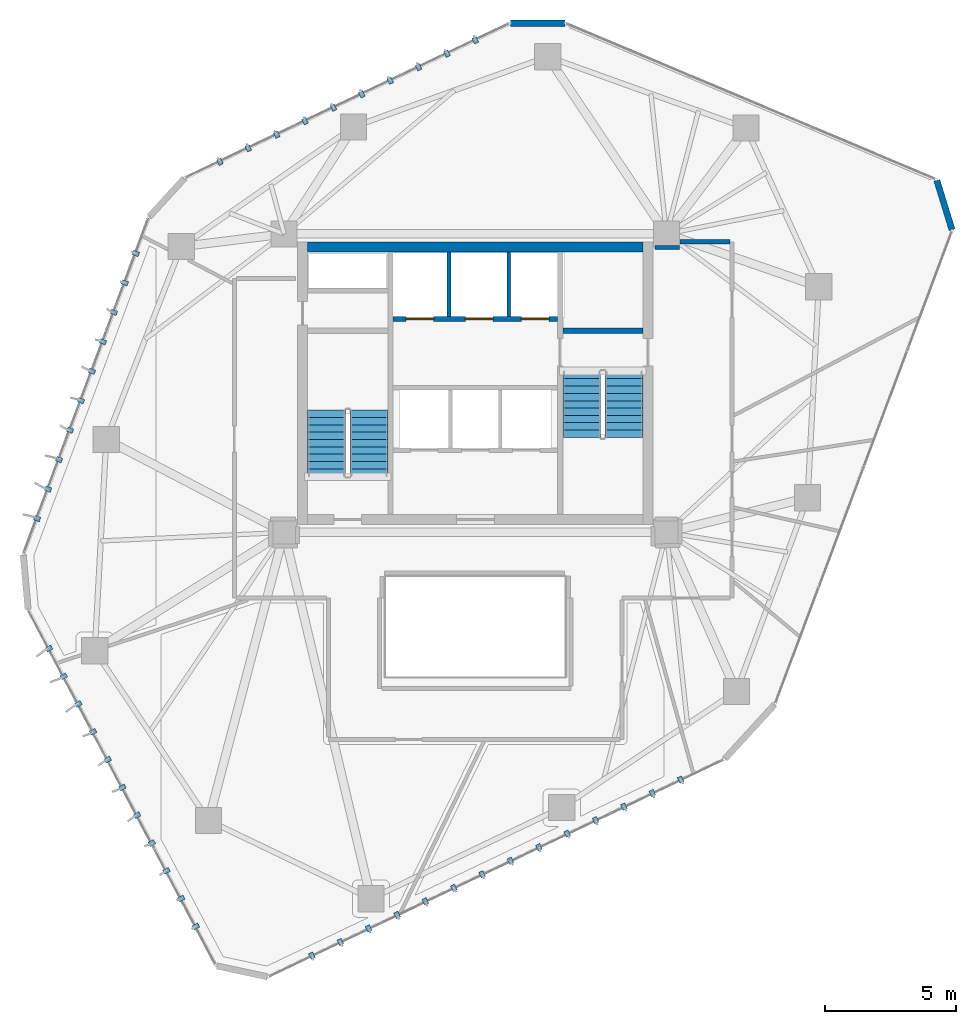
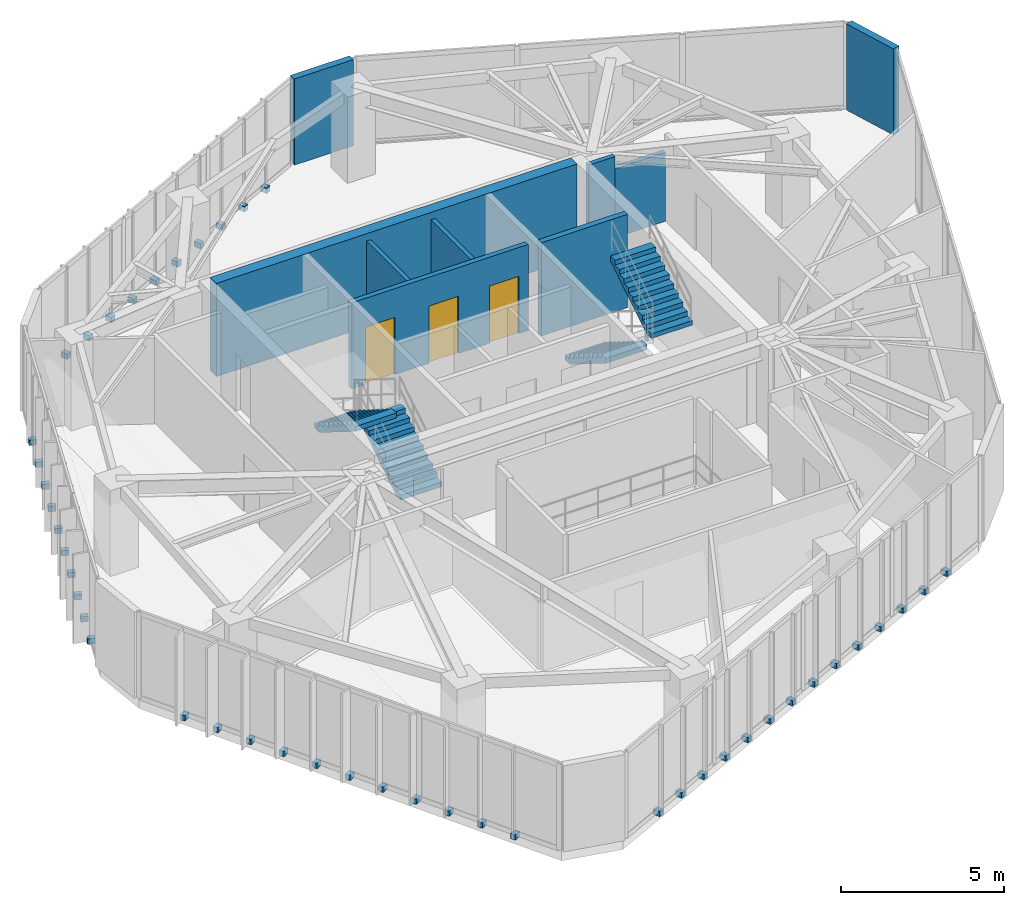
# One storey, part 16 of 18: 45 discrete accessories, 9 walls, 4 stair flights, 3 doors, 3 openings, 2 elements without a shape of their own.
"""IFC4 building model written with IfcOpenShell, lengths in metres."""

from ifc_helpers import new_model, si_unit, direction, frame, frame_2d, origin, origin_2d, place, context, subcontext, project, spatial, polyline, rectangle, outline, extrude, source, transform, mapped, material, layer, layer_set, type_object, type_shapes, element, fill, aggregate, save


model = new_model("IFC4")

# Units and contexts
model_context = context("Model", 3, precision=1e-05, world=origin(), true_north=direction((0.0, 1.0)))
body_context = subcontext(model_context, "Body", "Model", "MODEL_VIEW")
ifc_project = project(units=[si_unit("LENGTHUNIT", "METRE"), si_unit("AREAUNIT", "SQUARE_METRE"), si_unit("VOLUMEUNIT", "CUBIC_METRE"), si_unit("PLANEANGLEUNIT", "RADIAN"), si_unit("MASSUNIT", "GRAM", prefix="KILO")], contexts=[model_context])

# Site, building, storey
site_placement = place(None, origin())
site = spatial("IfcSite", under=ifc_project, at=site_placement, CompositionType="ELEMENT")
building_placement = place(site_placement, origin())
building = spatial("IfcBuilding", under=site, at=building_placement, Name="Talar Marvaseh", CompositionType="ELEMENT")
storey_placement = place(building_placement, frame((0.0, 0.0, 167.0)))
storey = spatial("IfcBuildingStorey", under=building, at=storey_placement, Name="L43", CompositionType="ELEMENT", Elevation=167.0)

# Walls
ifc_material_1 = material(Name="Precast concrete C45/55", Category="concrete")
ifc_layer_1 = layer(ifc_material_1, 0.239990234375)
ifc_layer_set_1 = layer_set([ifc_layer_1], Name="Precast concrete C45/55")
wall_type_1 = type_object("IfcWallType", Name="Chamfered Hexagonal Corner Pier Wall Z3 240", PredefinedType="SOLIDWALL", material=ifc_layer_set_1)
wall_1_placement = place(storey_placement, frame((27.343994140625, 44.947509765625, 0.0), z_axis=(0.0, 0.0, 1.0), x_axis=(0.999997533759, -0.002220917959, 0.0)))
element("IfcWall", 1, at=wall_1_placement, inside=storey, type_object=wall_type_1, Name="L43 Chamfered Corner Limestone Pier 4", PredefinedType="SOLIDWALL", context=body_context, shape_type="SweptSolid", body=[
    extrude(rectangle(XDim=2.088623046875, YDim=0.239990234375, at=frame_2d((1.04443359375, 0.0))), origin(), (0.0, 0.0, 1.0), 3.22998046875),
])
wall_2_placement = place(storey_placement, frame((43.62548828125, 38.945068359375, 0.0), z_axis=(0.0, 0.0, 1.0), x_axis=(0.293660790112, -0.955909692571, 0.0)))
element("IfcWall", 2, at=wall_2_placement, inside=storey, type_object=wall_type_1, Name="L43 Chamfered Corner Limestone Pier 5", PredefinedType="SOLIDWALL", context=body_context, shape_type="SweptSolid", body=[
    extrude(rectangle(XDim=1.977783203125, YDim=0.239990234375, at=frame_2d((0.98876953125, 0.0))), origin(), (0.0, 0.0, 1.0), 3.22998046875),
])
ifc_material_2 = material(Name="Gypsum Board Partition Assembly")
ifc_layer_2 = layer(ifc_material_2, 0.155029296875)
ifc_layer_set_2 = layer_set([ifc_layer_2], Name="Gypsum Board Partition Assembly")
wall_type_2 = type_object("IfcWallType", Name="Corridor Fire-Rated Acoustic Partition 155", PredefinedType="PARTITIONING", material=ifc_layer_set_2)
wall_3_placement = place(storey_placement, frame((32.8701171875, 36.385009765625, 0.0), z_axis=(0.0, 0.0, 1.0), x_axis=(0.999999965754, 0.000261711585, 0.0)))
element("IfcWall", 3, at=wall_3_placement, inside=storey, type_object=wall_type_2, Name="L43 Interior Partition Wall", PredefinedType="PARTITIONING", context=body_context, shape_type="SweptSolid", body=[
    extrude(rectangle(XDim=0.932861328125, YDim=0.155029296875, at=frame_2d((0.46630859375, 0.0))), origin(), (0.0, 0.0, 1.0), 3.22998046875),
])
wall_4_placement = place(storey_placement, frame((33.81494140625, 36.60009765625, 0.0), z_axis=(0.0, 0.0, 1.0), x_axis=(1.0, 0.0, 0.0)))
element("IfcWall", 4, at=wall_4_placement, inside=storey, type_object=wall_type_2, Name="L43 Interior Partition Wall", PredefinedType="PARTITIONING", context=body_context, shape_type="SweptSolid", body=[
    extrude(rectangle(XDim=1.901611328125, YDim=0.155029296875, at=frame_2d((0.95068359375, 0.0))), origin(), (0.0, 0.0, 1.0), 2.589111328125),
])
ifc_layer_3 = layer(ifc_material_1, 0.14501953125)
ifc_layer_set_3 = layer_set([ifc_layer_3], Name="Precast concrete C45/55")
wall_type_3 = type_object("IfcWallType", Name="Fire-Rated Lift Divider Wall 145", PredefinedType="SOLIDWALL", material=ifc_layer_set_3)
for number, where, z_axis, x_axis, name in (
    (5, (25.0, 33.743408203125, 0.0), (0.0, 0.0, 1.0), (0.0, 1.0, 0.0), "L43 FFL-1/FFL-2 Divider"),
    (6, (27.280029296875, 33.743408203125, 0.0), (0.0, 0.0, 1.0), (0.0, 1.0, 0.0), "L43 FFL-2/SVL-1 Divider"),
):
    element("IfcWall", number, at=place(storey_placement, frame(where, z_axis=z_axis, x_axis=x_axis)), inside=storey, type_object=wall_type_3, Name=name, PredefinedType="SOLIDWALL", context=body_context, shape_type="SweptSolid", body=[
        extrude(rectangle(XDim=2.45654296875, YDim=0.14501953125, at=frame_2d((1.228271484375, 0.0))), origin(), (0.0, 0.0, 1.0), 3.22998046875),
    ])

# Wall, openings, doors
ifc_layer_4 = layer(ifc_material_1, 0.175048828125)
ifc_layer_set_4 = layer_set([ifc_layer_4], Name="Precast concrete C45/55")
wall_type_4 = type_object("IfcWallType", Name="Fire-Rated Lift Hoistway Enclosure Wall 175", PredefinedType="SOLIDWALL", material=ifc_layer_set_4)
wall_5_placement = place(storey_placement, frame((22.860107421875, 33.64990234375, 0.0), z_axis=(0.0, 0.0, 1.0), x_axis=(1.0, 0.0, 0.0)))
wall_5 = element("IfcWall", 7, at=wall_5_placement, inside=storey, type_object=wall_type_4, Name="L43 Firefighting and Service Lift Front Wall", PredefinedType="SOLIDWALL", context=body_context, shape_type="SweptSolid", body=[
    extrude(rectangle(XDim=6.27978515625, YDim=0.175048828125, at=frame_2d((3.139892578125, 0.0))), origin(), (0.0, 0.0, 1.0), 3.22998046875),
])
opening_1_placement = place(wall_5_placement, frame((0.5, 0.0, 0.0)))
opening_1 = element("IfcOpeningElement", 8, at=opening_1_placement, cuts=wall_5, Name="Opening LD-FF1", PredefinedType="OPENING", context=body_context, shape_type="SweptSolid", body=[
    extrude(rectangle(XDim=1.050048828125, YDim=2.14990234375, at=frame_2d((0.52490234375, 1.074951171875))), frame((0.0, 0.09765625, 0.0), z_axis=(0.0, -1.0, 0.0), x_axis=(1.0, 0.0, 0.0)), (0.0, 0.0, 1.0), 0.195068359375),
])
opening_2_placement = place(wall_5_placement, frame((2.760009765625, 0.0, 0.0)))
opening_2 = element("IfcOpeningElement", 9, at=opening_2_placement, cuts=wall_5, Name="Opening LD-FF2", PredefinedType="OPENING", context=body_context, shape_type="SweptSolid", body=[
    extrude(rectangle(XDim=1.050048828125, YDim=2.14990234375, at=frame_2d((0.52490234375, 1.074951171875))), frame((0.0, 0.09765625, 0.0), z_axis=(0.0, -1.0, 0.0), x_axis=(1.0, 0.0, 0.0)), (0.0, 0.0, 1.0), 0.195068359375),
])
opening_3_placement = place(wall_5_placement, frame((4.89990234375, 0.0, 0.0)))
opening_3 = element("IfcOpeningElement", 10, at=opening_3_placement, cuts=wall_5, Name="Opening LD-SV1", PredefinedType="OPENING", context=body_context, shape_type="SweptSolid", body=[
    extrude(rectangle(XDim=1.050048828125, YDim=2.14990234375, at=frame_2d((0.52490234375, 1.074951171875))), frame((0.0, 0.09765625, 0.0), z_axis=(0.0, -1.0, 0.0), x_axis=(1.0, 0.0, 0.0)), (0.0, 0.0, 1.0), 0.195068359375),
])
ifc_material_3 = material(Name="Stainless Steel Grade 316", Category="steel")
door_type = type_object("IfcDoorType", Name="Automatic Sliding Lift Landing Door 1050x2150", OperationType="NOTDEFINED", PredefinedType="DOOR", material=ifc_material_3)
shared_shape_1 = source(origin(), body_context, "Body", "SweptSolid", [
    extrude(rectangle(XDim=1.050048828125, YDim=2.14990234375, at=frame_2d((0.52490234375, 1.074951171875))), frame((0.0, 0.02490234375, 0.0), z_axis=(0.0, -1.0, 0.0), x_axis=(1.0, 0.0, 0.0)), (0.0, 0.0, 1.0), 0.050048828125),
])
type_shapes(door_type, [shared_shape_1])
door_1_placement = place(opening_1_placement, origin())
door_1 = element("IfcDoor", 11, at=door_1_placement, inside=storey, type_object=door_type, Name="L43 Lift FFL-1 Sliding Landing Door", OperationType="SLIDING_TO_LEFT", OverallHeight=2.14990234375, OverallWidth=1.050048828125, PredefinedType="DOOR", context=body_context, shape_type="MappedRepresentation", body=[
    mapped(shared_shape_1, transform((0.0, 0.0, 0.0), x_axis=(1.0, 0.0, 0.0), y_axis=(0.0, 1.0, 0.0), z_axis=(0.0, 0.0, 1.0), scale=1.0)),
])
fill(opening_1, door_1)
door_2_placement = place(opening_2_placement, origin())
door_2 = element("IfcDoor", 12, at=door_2_placement, inside=storey, type_object=door_type, Name="L43 Lift FFL-2 Sliding Landing Door", OperationType="SLIDING_TO_LEFT", OverallHeight=2.14990234375, OverallWidth=1.050048828125, PredefinedType="DOOR", context=body_context, shape_type="MappedRepresentation", body=[
    mapped(shared_shape_1, transform((0.0, 0.0, 0.0), x_axis=(1.0, 0.0, 0.0), y_axis=(0.0, 1.0, 0.0), z_axis=(0.0, 0.0, 1.0), scale=1.0)),
])
fill(opening_2, door_2)
door_3_placement = place(opening_3_placement, origin())
door_3 = element("IfcDoor", 13, at=door_3_placement, inside=storey, type_object=door_type, Name="L43 Lift SVL-1 Sliding Landing Door", OperationType="SLIDING_TO_LEFT", OverallHeight=2.14990234375, OverallWidth=1.050048828125, PredefinedType="DOOR", context=body_context, shape_type="MappedRepresentation", body=[
    mapped(shared_shape_1, transform((0.0, 0.0, 0.0), x_axis=(1.0, 0.0, 0.0), y_axis=(0.0, 1.0, 0.0), z_axis=(0.0, 0.0, 1.0), scale=1.0)),
])
fill(opening_3, door_3)

# Walls
ifc_material_4 = material(Name="Concrete C60/75", Category="concrete")
ifc_layer_5 = layer(ifc_material_4, 0.3798828125)
ifc_layer_set_5 = layer_set([ifc_layer_5], Name="Concrete C60/75")
wall_type_5 = type_object("IfcWallType", Name="Mid Core Reinforced Concrete Shear Wall 380", PredefinedType="SHEAR", material=ifc_layer_set_5)
wall_6_placement = place(storey_placement, frame((19.60009765625, 36.39990234375, 0.0), z_axis=(0.0, 0.0, 1.0), x_axis=(1.0, 0.0, 0.0)))
element("IfcWall", 14, at=wall_6_placement, inside=storey, type_object=wall_type_5, Name="L43 North Core Shear Wall", PredefinedType="SHEAR", context=body_context, shape_type="SweptSolid", body=[
    extrude(rectangle(XDim=12.7998046875, YDim=0.3798828125, at=frame_2d((6.39990234375, 0.0))), origin(), (0.0, 0.0, 1.0), 3.5),
])
ifc_material_5 = material(Name="Concrete C50/60", Category="concrete")
ifc_layer_6 = layer(ifc_material_5, 0.199951171875)
ifc_layer_set_6 = layer_set([ifc_layer_6], Name="Concrete C50/60")
wall_type_6 = type_object("IfcWallType", Name="Stair Shaft Structural Concrete Shear Wall 200", PredefinedType="SHEAR", material=ifc_layer_set_6)
wall_7_placement = place(storey_placement, frame((29.340087890625, 33.199951171875, 0.0), z_axis=(0.0, 0.0, 1.0), x_axis=(1.0, 0.0, 0.0)))
element("IfcWall", 15, at=wall_7_placement, inside=storey, type_object=wall_type_6, Name="L43 Stair ST-2 North Shear Wall", PredefinedType="SHEAR", context=body_context, shape_type="SweptSolid", body=[
    extrude(rectangle(XDim=3.059814453125, YDim=0.199951171875, at=frame_2d((1.52978515625, 0.0))), origin(), (0.0, 0.0, 1.0), 3.5),
])

# Stair, stair flights
ifc_material_6 = material(Name="Concrete C40/50", Category="concrete")
stair_type = type_object("IfcStairType", Name="Reinforced Concrete High-Rise Exit Stair Type C", PredefinedType="HALF_TURN_STAIR", material=ifc_material_6)
stair_1_placement = place(storey_placement, origin())
stair_1 = element("IfcStair", 16, at=stair_1_placement, inside=storey, type_object=stair_type, Name="L43 Tower West Core Exit Stair", PredefinedType="HALF_TURN_STAIR")
ifc_layer_7 = layer(ifc_material_6, 0.159912109375)
ifc_layer_set_7 = layer_set([ifc_layer_7], Name="Concrete C40/50")
stair_flight_type = type_object("IfcStairFlightType", Name="Reinforced Concrete Straight Stair Flight 160", PredefinedType="STRAIGHT", material=ifc_layer_set_7)
stair_flight_1_placement = place(storey_placement, frame((21.93505859375, 27.64990234375, 0.0), z_axis=(0.0, 0.0, 1.0), x_axis=(0.0, 1.0, 0.0)))
stair_flight_1 = element("IfcStairFlight", 17, at=stair_flight_1_placement, type_object=stair_flight_type, Name="ST-1 flight 1", NumberOfRisers=10, NumberOfTreads=9, PredefinedType="STRAIGHT", RiserHeight=0.175, TreadLength=0.28, context=body_context, shape_type="SweptSolid", body=[
    extrude(outline(polyline([(0.0, 0.0), (0.0, 0.175048828125), (0.280029296875, 0.175048828125), (0.280029296875, 0.35009765625), (0.56005859375, 0.35009765625), (0.56005859375, 0.52490234375), (0.840087890625, 0.52490234375), (0.840087890625, 0.699951171875), (1.1201171875, 0.699951171875), (1.1201171875, 0.875), (1.39990234375, 0.875), (1.39990234375, 1.050048828125), (1.679931640625, 1.050048828125), (1.679931640625, 1.22509765625), (1.9599609375, 1.22509765625), (1.9599609375, 1.39990234375), (2.239990234375, 1.39990234375), (2.239990234375, 1.574951171875), (2.52001953125, 1.574951171875), (2.52001953125, 1.75), (2.52001953125, 1.386474609375), (0.3017578125, 0.0), (0.0, 0.0)])), frame((0.0, 0.72509765625, 0.0), z_axis=(0.0, -1.0, 0.0), x_axis=(1.0, 0.0, 0.0)), (0.0, 0.0, 1.0), 1.449951171875),
])
stair_flight_2_placement = place(storey_placement, frame((20.324951171875, 30.169921875, 1.75), z_axis=(0.0, 0.0, 1.0), x_axis=(0.0, -1.0, 0.0)))
stair_flight_2 = element("IfcStairFlight", 18, at=stair_flight_2_placement, type_object=stair_flight_type, Name="ST-1 flight 2", NumberOfRisers=10, NumberOfTreads=9, PredefinedType="STRAIGHT", RiserHeight=0.175, TreadLength=0.28, context=body_context, shape_type="SweptSolid", body=[
    extrude(outline(polyline([(0.0, 0.0), (0.0, 0.175048828125), (0.280029296875, 0.175048828125), (0.280029296875, 0.35009765625), (0.56005859375, 0.35009765625), (0.56005859375, 0.52490234375), (0.840087890625, 0.52490234375), (0.840087890625, 0.699951171875), (1.1201171875, 0.699951171875), (1.1201171875, 0.875), (1.39990234375, 0.875), (1.39990234375, 1.050048828125), (1.679931640625, 1.050048828125), (1.679931640625, 1.22509765625), (1.9599609375, 1.22509765625), (1.9599609375, 1.39990234375), (2.239990234375, 1.39990234375), (2.239990234375, 1.574951171875), (2.52001953125, 1.574951171875), (2.52001953125, 1.75), (2.52001953125, 1.386474609375), (0.3017578125, 0.0), (0.0, 0.0)])), frame((0.0, 0.72509765625, 0.0), z_axis=(0.0, -1.0, 0.0), x_axis=(1.0, 0.0, 0.0)), (0.0, 0.0, 1.0), 1.449951171875),
])
aggregate(stair_1, [stair_flight_1, stair_flight_2])

stair_2_placement = place(storey_placement, origin())
stair_2 = element("IfcStair", 19, at=stair_2_placement, inside=storey, type_object=stair_type, Name="L43 Tower East Core Exit Stair", PredefinedType="HALF_TURN_STAIR")
stair_flight_3_placement = place(storey_placement, frame((30.06494140625, 31.64990234375, 0.0), z_axis=(0.0, 0.0, 1.0), x_axis=(0.0, -1.0, 0.0)))
stair_flight_3 = element("IfcStairFlight", 20, at=stair_flight_3_placement, type_object=stair_flight_type, Name="ST-2 flight 1", NumberOfRisers=10, NumberOfTreads=9, PredefinedType="STRAIGHT", RiserHeight=0.175, TreadLength=0.28, context=body_context, shape_type="SweptSolid", body=[
    extrude(outline(polyline([(0.0, 0.0), (0.0, 0.175048828125), (0.280029296875, 0.175048828125), (0.280029296875, 0.35009765625), (0.56005859375, 0.35009765625), (0.56005859375, 0.52490234375), (0.840087890625, 0.52490234375), (0.840087890625, 0.699951171875), (1.1201171875, 0.699951171875), (1.1201171875, 0.875), (1.39990234375, 0.875), (1.39990234375, 1.050048828125), (1.679931640625, 1.050048828125), (1.679931640625, 1.22509765625), (1.9599609375, 1.22509765625), (1.9599609375, 1.39990234375), (2.239990234375, 1.39990234375), (2.239990234375, 1.574951171875), (2.52001953125, 1.574951171875), (2.52001953125, 1.75), (2.52001953125, 1.386474609375), (0.3017578125, 0.0), (0.0, 0.0)])), frame((0.0, 0.72509765625, 0.0), z_axis=(0.0, -1.0, 0.0), x_axis=(1.0, 0.0, 0.0)), (0.0, 0.0, 1.0), 1.449951171875),
])
stair_flight_4_placement = place(storey_placement, frame((31.675048828125, 29.1298828125, 1.75), z_axis=(0.0, 0.0, 1.0), x_axis=(0.0, 1.0, 0.0)))
stair_flight_4 = element("IfcStairFlight", 21, at=stair_flight_4_placement, type_object=stair_flight_type, Name="ST-2 flight 2", NumberOfRisers=10, NumberOfTreads=9, PredefinedType="STRAIGHT", RiserHeight=0.175, TreadLength=0.28, context=body_context, shape_type="SweptSolid", body=[
    extrude(outline(polyline([(0.0, 0.0), (0.0, 0.175048828125), (0.280029296875, 0.175048828125), (0.280029296875, 0.35009765625), (0.56005859375, 0.35009765625), (0.56005859375, 0.52490234375), (0.840087890625, 0.52490234375), (0.840087890625, 0.699951171875), (1.1201171875, 0.699951171875), (1.1201171875, 0.875), (1.39990234375, 0.875), (1.39990234375, 1.050048828125), (1.679931640625, 1.050048828125), (1.679931640625, 1.22509765625), (1.9599609375, 1.22509765625), (1.9599609375, 1.39990234375), (2.239990234375, 1.39990234375), (2.239990234375, 1.574951171875), (2.52001953125, 1.574951171875), (2.52001953125, 1.75), (2.52001953125, 1.386474609375), (0.3017578125, 0.0), (0.0, 0.0)])), frame((0.0, 0.72509765625, 0.0), z_axis=(0.0, -1.0, 0.0), x_axis=(1.0, 0.0, 0.0)), (0.0, 0.0, 1.0), 1.449951171875),
])
aggregate(stair_2, [stair_flight_3, stair_flight_4])

# Discrete accessories
discrete_accessory_type = type_object("IfcDiscreteAccessoryType", Name="Stainless Slab-Edge Fin Mounting Bracket", PredefinedType="BRACKET", material=ifc_material_3)
shared_shape_2 = source(origin(), body_context, "Body", "SweptSolid", [
    extrude(rectangle(XDim=0.239990234375, YDim=0.179931640625, at=origin_2d()), origin(), (0.0, 0.0, 1.0), 0.199951171875),
])
type_shapes(discrete_accessory_type, [shared_shape_2])
for number, where, z_axis, x_axis, name in (
    (22, (15.33203125, 10.460205078125, -0.18017578125), (0.0, 0.0, 1.0), (-0.88417363932, -0.467158405181, 0.0), "L43 Vertical Fin Slab-Edge Bracket"),
    (23, (14.771484375, 11.521484375, -0.18017578125), (0.0, 0.0, 1.0), (-0.88417363932, -0.467158405181, 0.0), "L43 Vertical Fin Slab-Edge Bracket"),
    (24, (14.2109375, 12.58251953125, -0.18017578125), (0.0, 0.0, 1.0), (-0.88417363932, -0.467158405181, 0.0), "L43 Vertical Fin Slab-Edge Bracket"),
    (25, (13.650390625, 13.6435546875, -0.18017578125), (0.0, 0.0, 1.0), (-0.88417363932, -0.467158405181, 0.0), "L43 Vertical Fin Slab-Edge Bracket"),
    (26, (13.090087890625, 14.70458984375, -0.18017578125), (0.0, 0.0, 1.0), (-0.88417363932, -0.467158405181, 0.0), "L43 Vertical Fin Slab-Edge Bracket"),
    (27, (12.529541015625, 15.765625, -0.18017578125), (0.0, 0.0, 1.0), (-0.88417363932, -0.467158405181, 0.0), "L43 Vertical Fin Slab-Edge Bracket"),
    (28, (11.968994140625, 16.82666015625, -0.18017578125), (0.0, 0.0, 1.0), (-0.88417363932, -0.467158405181, 0.0), "L43 Vertical Fin Slab-Edge Bracket"),
    (29, (11.408447265625, 17.8876953125, -0.18017578125), (0.0, 0.0, 1.0), (-0.88417363932, -0.467158405181, 0.0), "L43 Vertical Fin Slab-Edge Bracket"),
    (30, (10.847900390625, 18.94873046875, -0.18017578125), (0.0, 0.0, 1.0), (-0.88417363932, -0.467158405181, 0.0), "L43 Vertical Fin Slab-Edge Bracket"),
    (31, (10.287353515625, 20.009765625, -0.18017578125), (0.0, 0.0, 1.0), (-0.88417363932, -0.467158405181, 0.0), "L43 Vertical Fin Slab-Edge Bracket"),
    (32, (9.726806640625, 21.07080078125, -0.18017578125), (0.0, 0.0, 1.0), (-0.88417363932, -0.467158405181, 0.0), "L43 Vertical Fin Slab-Edge Bracket"),
    (33, (9.27001953125, 26.033447265625, -0.18017578125), (0.0, 0.0, 1.0), (-0.937099349122, 0.34906275922, 0.0), "L43 Vertical Fin Slab-Edge Bracket"),
    (34, (9.68896484375, 27.157958984375, -0.18017578125), (0.0, 0.0, 1.0), (-0.937099349122, 0.34906275922, 0.0), "L43 Vertical Fin Slab-Edge Bracket"),
    (35, (10.10791015625, 28.282470703125, -0.18017578125), (0.0, 0.0, 1.0), (-0.937099349122, 0.34906275922, 0.0), "L43 Vertical Fin Slab-Edge Bracket"),
    (36, (10.52685546875, 29.406982421875, -0.18017578125), (0.0, 0.0, 1.0), (-0.937099349122, 0.34906275922, 0.0), "L43 Vertical Fin Slab-Edge Bracket"),
    (37, (10.94580078125, 30.531494140625, -0.18017578125), (0.0, 0.0, 1.0), (-0.937099349122, 0.34906275922, 0.0), "L43 Vertical Fin Slab-Edge Bracket"),
    (38, (11.364501953125, 31.656005859375, -0.18017578125), (0.0, 0.0, 1.0), (-0.937099349122, 0.34906275922, 0.0), "L43 Vertical Fin Slab-Edge Bracket"),
    (39, (11.783447265625, 32.780517578125, -0.18017578125), (0.0, 0.0, 1.0), (-0.937099349122, 0.34906275922, 0.0), "L43 Vertical Fin Slab-Edge Bracket"),
    (40, (12.202392578125, 33.905029296875, -0.18017578125), (0.0, 0.0, 1.0), (-0.937099349122, 0.34906275922, 0.0), "L43 Vertical Fin Slab-Edge Bracket"),
    (41, (12.621337890625, 35.029541015625, -0.18017578125), (0.0, 0.0, 1.0), (-0.937099349122, 0.34906275922, 0.0), "L43 Vertical Fin Slab-Edge Bracket"),
    (42, (13.040283203125, 36.154052734375, -0.18017578125), (0.0, 0.0, 1.0), (-0.937099349122, 0.34906275922, 0.0), "L43 Vertical Fin Slab-Edge Bracket"),
    (43, (16.24951171875, 39.656005859375, -0.18017578125), (0.0, 0.0, 1.0), (-0.429408059837, 0.903110579136, 0.0), "L43 Vertical Fin Slab-Edge Bracket"),
    (44, (17.3330078125, 40.17138671875, -0.18017578125), (0.0, 0.0, 1.0), (-0.429408059837, 0.903110579136, 0.0), "L43 Vertical Fin Slab-Edge Bracket"),
    (45, (18.416748046875, 40.686767578125, -0.18017578125), (0.0, 0.0, 1.0), (-0.429408059837, 0.903110579136, 0.0), "L43 Vertical Fin Slab-Edge Bracket"),
    (46, (19.50048828125, 41.2021484375, -0.18017578125), (0.0, 0.0, 1.0), (-0.429408059837, 0.903110579136, 0.0), "L43 Vertical Fin Slab-Edge Bracket"),
    (47, (20.584228515625, 41.717529296875, -0.18017578125), (0.0, 0.0, 1.0), (-0.429408059837, 0.903110579136, 0.0), "L43 Vertical Fin Slab-Edge Bracket"),
    (48, (21.66796875, 42.23291015625, -0.18017578125), (0.0, 0.0, 1.0), (-0.429408059837, 0.903110579136, 0.0), "L43 Vertical Fin Slab-Edge Bracket"),
    (49, (22.751708984375, 42.748046875, -0.18017578125), (0.0, 0.0, 1.0), (-0.429408059837, 0.903110579136, 0.0), "L43 Vertical Fin Slab-Edge Bracket"),
    (50, (23.83544921875, 43.263427734375, -0.18017578125), (0.0, 0.0, 1.0), (-0.429408059837, 0.903110579136, 0.0), "L43 Vertical Fin Slab-Edge Bracket"),
    (51, (24.919189453125, 43.77880859375, -0.18017578125), (0.0, 0.0, 1.0), (-0.429408059837, 0.903110579136, 0.0), "L43 Vertical Fin Slab-Edge Bracket"),
    (52, (26.002685546875, 44.294189453125, -0.18017578125), (0.0, 0.0, 1.0), (-0.429408059837, 0.903110579136, 0.0), "L43 Vertical Fin Slab-Edge Bracket"),
    (53, (33.842041015625, 16.065185546875, -0.18017578125), (0.0, 0.0, 1.0), (0.4306686211, -0.902510132242, 0.0), "L43 Vertical Fin Slab-Edge Bracket"),
    (54, (32.759033203125, 15.548583984375, -0.18017578125), (0.0, 0.0, 1.0), (0.4306686211, -0.902510132242, 0.0), "L43 Vertical Fin Slab-Edge Bracket"),
    (55, (31.676025390625, 15.03173828125, -0.18017578125), (0.0, 0.0, 1.0), (0.4306686211, -0.902510132242, 0.0), "L43 Vertical Fin Slab-Edge Bracket"),
    (56, (30.593017578125, 14.514892578125, -0.18017578125), (0.0, 0.0, 1.0), (0.4306686211, -0.902510132242, 0.0), "L43 Vertical Fin Slab-Edge Bracket"),
    (57, (29.510009765625, 13.998291015625, -0.18017578125), (0.0, 0.0, 1.0), (0.4306686211, -0.902510132242, 0.0), "L43 Vertical Fin Slab-Edge Bracket"),
    (58, (28.427001953125, 13.4814453125, -0.18017578125), (0.0, 0.0, 1.0), (0.4306686211, -0.902510132242, 0.0), "L43 Vertical Fin Slab-Edge Bracket"),
    (59, (27.343994140625, 12.964599609375, -0.18017578125), (0.0, 0.0, 1.0), (0.4306686211, -0.902510132242, 0.0), "L43 Vertical Fin Slab-Edge Bracket"),
    (60, (26.260986328125, 12.447998046875, -0.18017578125), (0.0, 0.0, 1.0), (0.4306686211, -0.902510132242, 0.0), "L43 Vertical Fin Slab-Edge Bracket"),
    (61, (25.177978515625, 11.93115234375, -0.18017578125), (0.0, 0.0, 1.0), (0.4306686211, -0.902510132242, 0.0), "L43 Vertical Fin Slab-Edge Bracket"),
    (62, (24.094970703125, 11.414306640625, -0.18017578125), (0.0, 0.0, 1.0), (0.4306686211, -0.902510132242, 0.0), "L43 Vertical Fin Slab-Edge Bracket"),
    (63, (23.01171875, 10.8974609375, -0.18017578125), (0.0, 0.0, 1.0), (0.4306686211, -0.902510132242, 0.0), "L43 Vertical Fin Slab-Edge Bracket"),
    (64, (21.9287109375, 10.380615234375, -0.18017578125), (0.0, 0.0, 1.0), (0.4306686211, -0.902510132242, 0.0), "L43 Vertical Fin Slab-Edge Bracket"),
    (65, (20.845703125, 9.864013671875, -0.18017578125), (0.0, 0.0, 1.0), (0.4306686211, -0.902510132242, 0.0), "L43 Vertical Fin Slab-Edge Bracket"),
    (66, (19.7626953125, 9.34716796875, -0.18017578125), (0.0, 0.0, 1.0), (0.4306686211, -0.902510132242, 0.0), "L43 Vertical Fin Slab-Edge Bracket"),
):
    element("IfcDiscreteAccessory", number, at=place(storey_placement, frame(where, z_axis=z_axis, x_axis=x_axis)), inside=storey, type_object=discrete_accessory_type, Name=name, PredefinedType="BRACKET", context=body_context, shape_type="MappedRepresentation", body=[
        mapped(shared_shape_2, transform((0.0, 0.0, 0.0), x_axis=(1.0, 0.0, 0.0), y_axis=(0.0, 1.0, 0.0), z_axis=(0.0, 0.0, 1.0), scale=1.0)),
    ])

save(model, "model.ifc")
